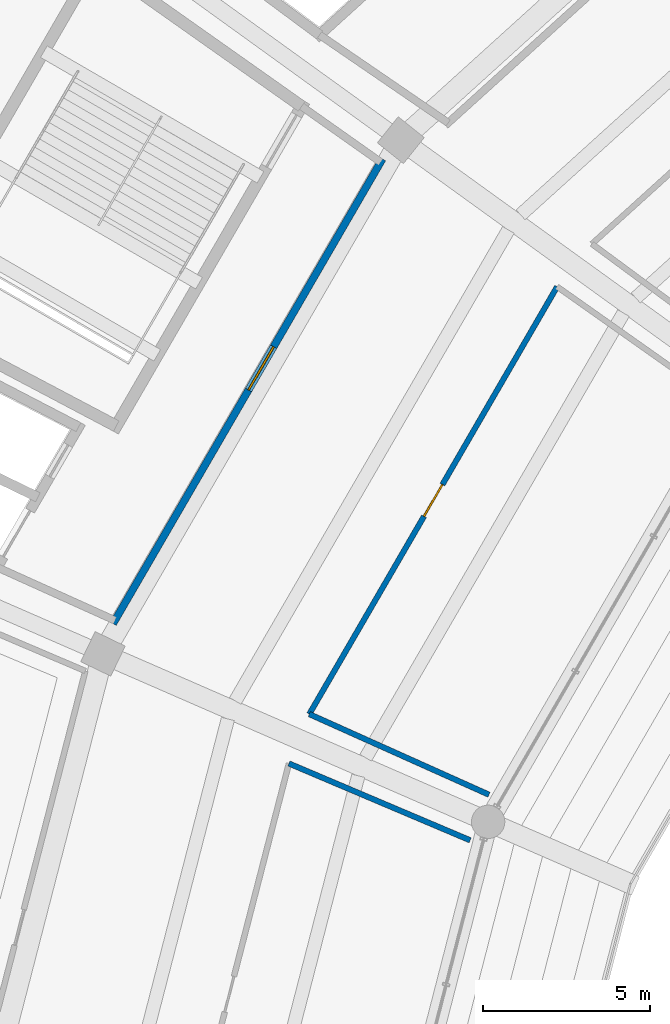
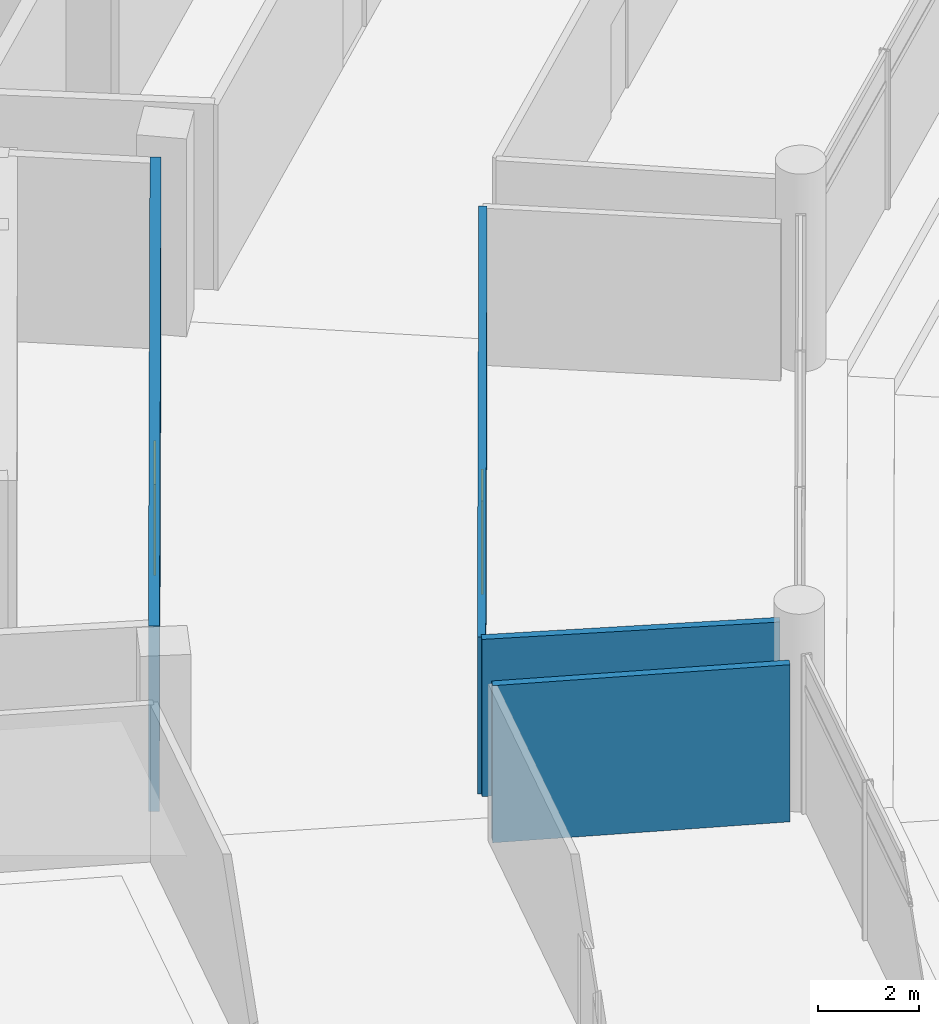
# One storey, part 132 of 171: 4 walls, 2 doors, 2 openings.
"""IFC4 building model written with IfcOpenShell, lengths in metres."""

from ifc_helpers import new_model, si_unit, direction, frame, frame_2d, origin, place, context, subcontext, project, spatial, rectangle, extrude, material, layer, layer_set, type_object, element, fill, save


model = new_model("IFC4")

# Units and contexts
model_context = context("Model", 3, precision=1e-05, world=origin(), true_north=direction((0.0, 1.0)))
body_context = subcontext(model_context, "Body", "Model", "MODEL_VIEW")
ifc_project = project(units=[si_unit("LENGTHUNIT", "METRE"), si_unit("AREAUNIT", "SQUARE_METRE"), si_unit("VOLUMEUNIT", "CUBIC_METRE"), si_unit("PLANEANGLEUNIT", "RADIAN"), si_unit("MASSUNIT", "GRAM", prefix="KILO")], contexts=[model_context])

# Site, building, storey
site_placement = place(None, origin())
site = spatial("IfcSite", under=ifc_project, at=site_placement, CompositionType="ELEMENT")
building_placement = place(site_placement, origin())
building = spatial("IfcBuilding", under=site, at=building_placement, Name="Kazemori Nagisa Stadium", CompositionType="ELEMENT")
storey_placement = place(building_placement, frame((0.0, 0.0, 15.639892578125)))
storey = spatial("IfcBuildingStorey", under=building, at=storey_placement, Name="L03", CompositionType="ELEMENT", Elevation=15.639892578125)

# Wall, opening, door
ifc_material_1 = material(Name="Concrete C36/45 (Fc36)", Category="concrete")
ifc_layer_1 = layer(ifc_material_1, 0.219970703125, Name="Concrete C36/45 (Fc36)", Category="concrete")
ifc_layer_set_1 = layer_set([ifc_layer_1], Name="Concrete C36/45 (Fc36)")
wall_type_1 = type_object("IfcWallType", Name="Wall_W-LOBBY-220", PredefinedType="SOLIDWALL", material=ifc_layer_set_1)
wall_1_placement = place(storey_placement, frame((54.9443359375, 150.17041015625, 0.0), z_axis=(0.0, 0.0, 1.0), x_axis=(-0.501612626242, -0.865092349518, 0.0)))
wall_1 = element("IfcWall", 1, at=wall_1_placement, inside=storey, type_object=wall_type_1, Name="Core lobby fire wall ST08 L03", PredefinedType="SOLIDWALL", context=body_context, shape_type="SweptSolid", body=[
    extrude(rectangle(XDim=16.110107421875, YDim=0.219970703125, at=frame_2d((8.05517578125, 0.0))), origin(), (0.0, 0.0, 1.0), 4.460205078125),
])
opening_1_placement = place(wall_1_placement, frame((6.510986328125, 0.0, 0.0)))
opening_1 = element("IfcOpeningElement", 2, at=opening_1_placement, cuts=wall_1, Name="Opening D-FFL-1500", PredefinedType="OPENING", context=body_context, shape_type="SweptSolid", body=[
    extrude(rectangle(XDim=1.5, YDim=2.199951171875, at=frame_2d((0.75, 1.10009765625))), frame((0.0, 0.119873046875, 0.0), z_axis=(0.0, -1.0, 0.0), x_axis=(1.0, 0.0, 0.0)), (0.0, 0.0, 1.0), 0.239990234375),
])
ifc_material_2 = material(Name="Galvanised steel sheet", Category="steel")
door_type_1 = type_object("IfcDoorType", Name="Door_D-FFL-1500", OperationType="NOTDEFINED", PredefinedType="DOOR", material=ifc_material_2)
door_1_placement = place(opening_1_placement, frame((1.5, 0.0, 0.0), z_axis=(0.0, 0.0, 1.0), x_axis=(-1.0, 0.0, 0.0)))
door_1 = element("IfcDoor", 3, at=door_1_placement, inside=storey, type_object=door_type_1, Name="Protected lobby fire door ST08-L03", OperationType="DOUBLE_DOOR_SINGLE_SWING", OverallHeight=2.199951171875, OverallWidth=1.5, PredefinedType="DOOR", context=body_context, shape_type="SweptSolid", body=[
    extrude(rectangle(XDim=1.5, YDim=2.199951171875, at=frame_2d((0.75, 1.10009765625))), frame((0.0, 0.02490234375, 0.0), z_axis=(0.0, -1.0, 0.0), x_axis=(1.0, 0.0, 0.0)), (0.0, 0.0, 1.0), 0.050048828125),
])
fill(opening_1, door_1)

ifc_material_3 = material(Name="Gypsum plasterboard", Category="gypsum")
ifc_layer_2 = layer(ifc_material_3, 0.1650390625, Name="Gypsum plasterboard", Category="gypsum")
ifc_layer_set_2 = layer_set([ifc_layer_2], Name="Gypsum plasterboard")
wall_type_2 = type_object("IfcWallType", Name="Wall_W-PART-165", PredefinedType="PARTITIONING", material=ifc_layer_set_2)
wall_2_placement = place(storey_placement, frame((60.18310546875, 146.338623046875, 0.0), z_axis=(0.0, 0.0, 1.0), x_axis=(-0.501600484117, -0.865099389859, 0.0)))
wall_2 = element("IfcWall", 4, at=wall_2_placement, inside=storey, type_object=wall_type_2, Name="Bowl hospitality suite partition L03-B12", PredefinedType="PARTITIONING", context=body_context, shape_type="SweptSolid", body=[
    extrude(rectangle(XDim=14.81982421875, YDim=0.1650390625, at=frame_2d((7.409912109375, 0.0))), origin(), (0.0, 0.0, 1.0), 3.780029296875),
])
opening_2_placement = place(wall_2_placement, frame((6.860107421875, 0.0, 0.0)))
opening_2 = element("IfcOpeningElement", 5, at=opening_2_placement, cuts=wall_2, Name="Opening D-SUI-1100", PredefinedType="OPENING", context=body_context, shape_type="SweptSolid", body=[
    extrude(rectangle(XDim=1.10009765625, YDim=2.25, at=frame_2d((0.550048828125, 1.125))), frame((0.0, 0.092529296875, 0.0), z_axis=(0.0, -1.0, 0.0), x_axis=(1.0, 0.0, 0.0)), (0.0, 0.0, 1.0), 0.18505859375),
])
ifc_material_4 = material(Name="Oak timber veneer", Category="wood")
door_type_2 = type_object("IfcDoorType", Name="Door_D-SUI-1100", OperationType="NOTDEFINED", PredefinedType="DOOR", material=ifc_material_4)
door_2_placement = place(opening_2_placement, origin())
door_2 = element("IfcDoor", 6, at=door_2_placement, inside=storey, type_object=door_type_2, Name="Bowl hospitality suite door L03-B12", OperationType="SINGLE_SWING_RIGHT", OverallHeight=2.25, OverallWidth=1.10009765625, PredefinedType="DOOR", context=body_context, shape_type="SweptSolid", body=[
    extrude(rectangle(XDim=1.10009765625, YDim=2.25, at=frame_2d((0.550048828125, 1.125))), frame((0.0, 0.02490234375, 0.0), z_axis=(0.0, -1.0, 0.0), x_axis=(1.0, 0.0, 0.0)), (0.0, 0.0, 1.0), 0.050048828125),
])
fill(opening_2, door_2)

# Walls
wall_3_placement = place(storey_placement, frame((52.74951171875, 133.51806640625, 0.0), z_axis=(0.0, 0.0, 1.0), x_axis=(0.912386411317, -0.409329984785, 0.0)))
element("IfcWall", 7, at=wall_3_placement, inside=storey, type_object=wall_type_2, Name="Bowl hospitality suite divider L03-B12R", PredefinedType="PARTITIONING", context=body_context, shape_type="SweptSolid", body=[
    extrude(rectangle(XDim=5.90771484375, YDim=0.1650390625, at=frame_2d((2.953857421875, 0.0))), origin(), (0.0, 0.0, 1.0), 3.780029296875),
])
wall_4_placement = place(storey_placement, frame((52.137939453125, 132.03662109375, 0.0), z_axis=(0.0, 0.0, 1.0), x_axis=(0.920705147611, -0.390258928357, 0.0)))
element("IfcWall", 8, at=wall_4_placement, inside=storey, type_object=wall_type_2, Name="Bowl hospitality suite divider L03-B13L", PredefinedType="PARTITIONING", context=body_context, shape_type="SweptSolid", body=[
    extrude(rectangle(XDim=5.905517578125, YDim=0.1650390625, at=frame_2d((2.95263671875, 0.0))), origin(), (0.0, 0.0, 1.0), 3.780029296875),
])

save(model, "model.ifc")
